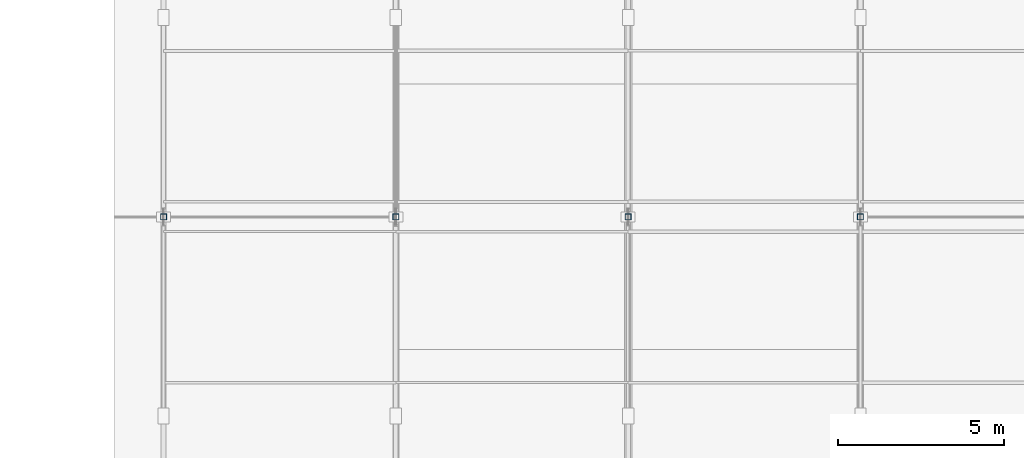
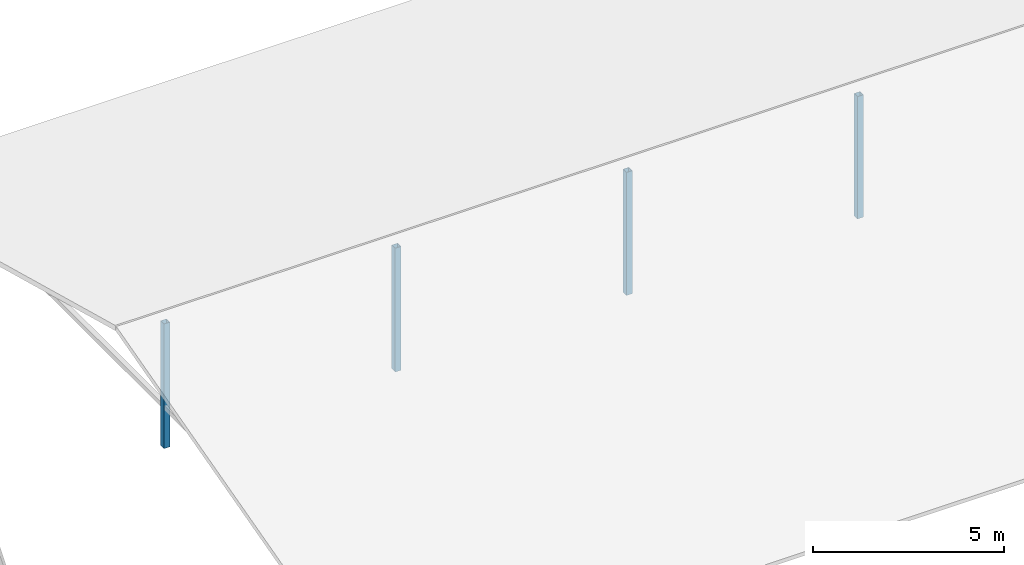
# One storey, part 4 of 76: 4 columns.
"""IFC4 building model written with IfcOpenShell, lengths in metres."""

from ifc_helpers import new_model, si_unit, direction, frame, origin, origin_2d, place, context, subcontext, project, spatial, hollow_rectangle, extrude, material, material_profile, profile_set, type_object, element, save


model = new_model("IFC4")

# Units and contexts
model_context = context("Model", 3, precision=1e-05, world=origin(), true_north=direction((0.0, 1.0)))
body_context = subcontext(model_context, "Body", "Model", "MODEL_VIEW")
ifc_project = project(units=[si_unit("LENGTHUNIT", "METRE"), si_unit("AREAUNIT", "SQUARE_METRE"), si_unit("VOLUMEUNIT", "CUBIC_METRE"), si_unit("PLANEANGLEUNIT", "RADIAN"), si_unit("MASSUNIT", "GRAM", prefix="KILO")], contexts=[model_context])

# Site, building, storey
site_placement = place(None, origin())
site = spatial("IfcSite", under=ifc_project, at=site_placement, CompositionType="ELEMENT")
building_placement = place(site_placement, origin())
building = spatial("IfcBuilding", under=site, at=building_placement, Name="Kiranvali Square Residences", CompositionType="ELEMENT")
storey_placement = place(building_placement, frame((0.0, 0.0, 8.699951171875)))
storey = spatial("IfcBuildingStorey", under=building, at=storey_placement, Name="L02", CompositionType="ELEMENT", Elevation=8.699951171875)

# Columns
ifc_material = material(Name="Structural steel E350", Category="steel")
ifc_material_profile = material_profile(ifc_material, hollow_rectangle(XDim=0.179931640625, YDim=0.179931640625, WallThickness=0.008056640625, at=origin_2d()), Name="SHS 180x180x8.0")
ifc_profile_set = profile_set([ifc_material_profile], Name="Structural steel E350")
column_type = type_object("IfcColumnType", Name="SCOL-SHS180", PredefinedType="COLUMN", material=ifc_profile_set)
column_1_placement = place(storey_placement, frame((38.0, 68.0, -0.199951171875), z_axis=(0.0, 0.0, 1.0), x_axis=(1.0, 0.0, 0.0)))
element("IfcColumn", 1, at=column_1_placement, inside=storey, type_object=column_type, Name="Nursery Pavilion ridge king-post 1", PredefinedType="COLUMN", context=body_context, shape_type="SweptSolid", body=[
    extrude(hollow_rectangle(XDim=0.179931640625, YDim=0.179931640625, WallThickness=0.008056640625, at=origin_2d()), origin(), (0.0, 0.0, 1.0), 3.9873046875),
])
column_2_placement = place(storey_placement, frame((45.0, 68.0, -0.199951171875), z_axis=(0.0, 0.0, 1.0), x_axis=(1.0, 0.0, 0.0)))
element("IfcColumn", 2, at=column_2_placement, inside=storey, type_object=column_type, Name="Nursery Pavilion ridge king-post 2", PredefinedType="COLUMN", context=body_context, shape_type="SweptSolid", body=[
    extrude(hollow_rectangle(XDim=0.179931640625, YDim=0.179931640625, WallThickness=0.008056640625, at=origin_2d()), origin(), (0.0, 0.0, 1.0), 3.96240234375),
])
column_3_placement = place(storey_placement, frame((52.0, 68.0, -0.199951171875), z_axis=(0.0, 0.0, 1.0), x_axis=(1.0, 0.0, 0.0)))
element("IfcColumn", 3, at=column_3_placement, inside=storey, type_object=column_type, Name="Nursery Pavilion ridge king-post 3", PredefinedType="COLUMN", context=body_context, shape_type="SweptSolid", body=[
    extrude(hollow_rectangle(XDim=0.179931640625, YDim=0.179931640625, WallThickness=0.008056640625, at=origin_2d()), origin(), (0.0, 0.0, 1.0), 3.937255859375),
])
column_4_placement = place(storey_placement, frame((59.0, 68.0, -0.199951171875), z_axis=(0.0, 0.0, 1.0), x_axis=(1.0, 0.0, 0.0)))
element("IfcColumn", 4, at=column_4_placement, inside=storey, type_object=column_type, Name="Nursery Pavilion ridge king-post 4", PredefinedType="COLUMN", context=body_context, shape_type="SweptSolid", body=[
    extrude(hollow_rectangle(XDim=0.179931640625, YDim=0.179931640625, WallThickness=0.008056640625, at=origin_2d()), origin(), (0.0, 0.0, 1.0), 3.912353515625),
])

save(model, "model.ifc")
